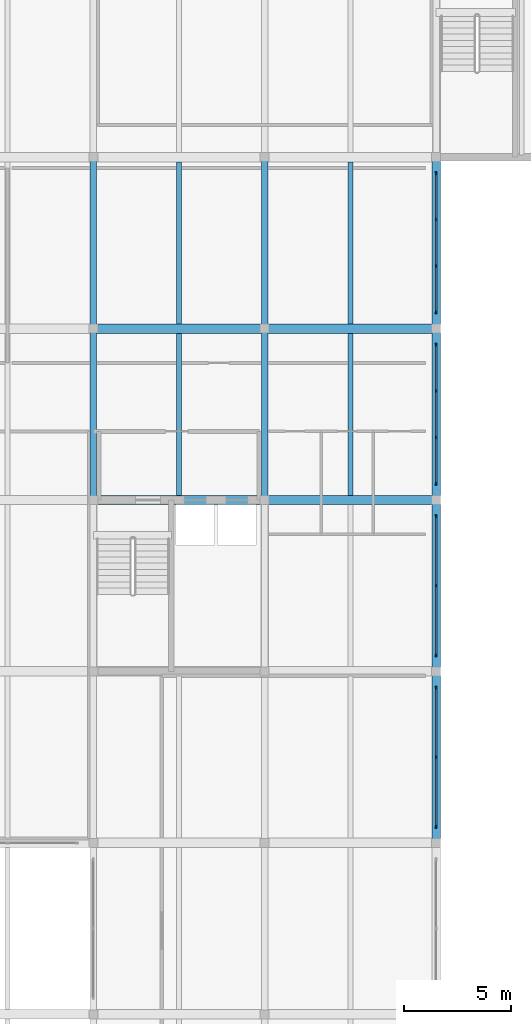
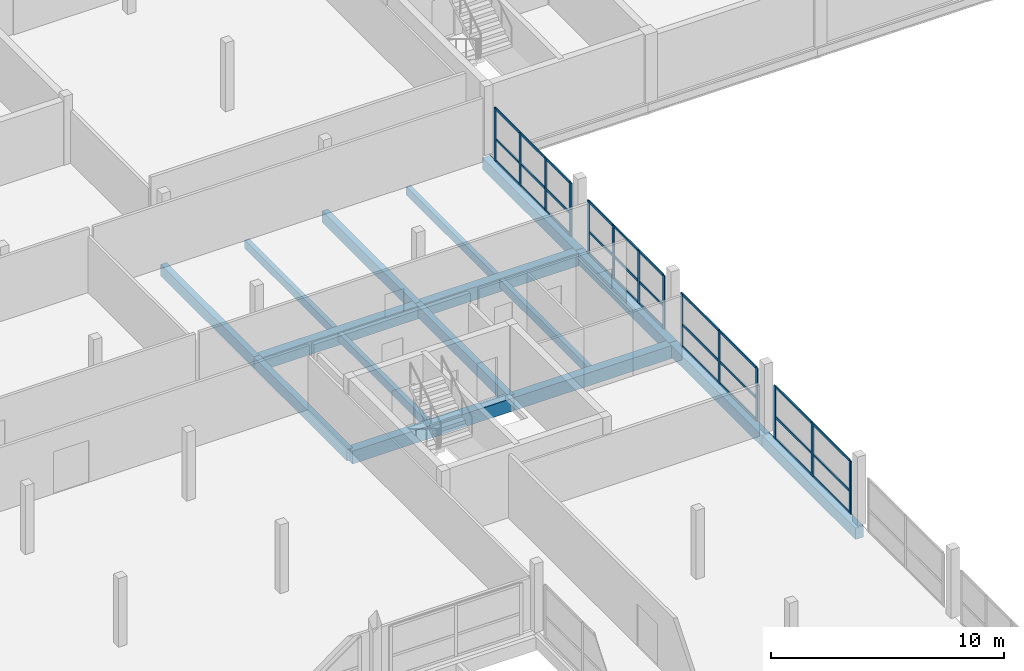
# One storey, part 14 of 51: 44 members, 16 beams, 4 elements without a shape of their own.
"""IFC4 building model written with IfcOpenShell, lengths in metres."""

from ifc_helpers import new_model, si_unit, direction, frame, origin, origin_2d, place, context, subcontext, project, spatial, rectangle, extrude, material, material_profile, profile_set, type_object, element, aggregate, save


model = new_model("IFC4")

# Units and contexts
model_context = context("Model", 3, precision=1e-05, world=origin(), true_north=direction((0.0, 1.0)))
body_context = subcontext(model_context, "Body", "Model", "MODEL_VIEW")
ifc_project = project(units=[si_unit("LENGTHUNIT", "METRE"), si_unit("AREAUNIT", "SQUARE_METRE"), si_unit("VOLUMEUNIT", "CUBIC_METRE"), si_unit("PLANEANGLEUNIT", "RADIAN"), si_unit("MASSUNIT", "GRAM", prefix="KILO")], contexts=[model_context])

# Site, building, storey
site_placement = place(None, origin())
site = spatial("IfcSite", under=ifc_project, at=site_placement, CompositionType="ELEMENT")
building_placement = place(site_placement, origin())
building = spatial("IfcBuilding", under=site, at=building_placement, Name="Vharandega Faculty of Natural Sciences", CompositionType="ELEMENT")
storey_placement = place(building_placement, frame((0.0, 0.0, 14.39990234375)))
storey = spatial("IfcBuildingStorey", under=building, at=storey_placement, Name="L03", CompositionType="ELEMENT", Elevation=14.39990234375)

# Curtain wall, members
ifc_material_1 = material(Name="Aluminium and solar-control glass curtain wall", Category="aluminium")
curtain_wall_type_1 = type_object("IfcCurtainWallType", Name="Unitised Curtain Wall System CW-18", PredefinedType="NOTDEFINED", material=ifc_material_1)
curtain_wall_1_placement = place(storey_placement, origin())
curtain_wall_1 = element("IfcCurtainWall", 1, at=curtain_wall_1_placement, inside=storey, type_object=curtain_wall_type_1, Name="Curtain Wall CW-L03-157", PredefinedType="NOTDEFINED")
ifc_material_2 = material(Name="Thermally broken aluminium 6063-T6", Category="aluminium")
ifc_material_profile_1 = material_profile(ifc_material_2, rectangle(XDim=0.06005859375, YDim=0.159912109375, at=origin_2d()), Name="ALU 60x160")
ifc_profile_set_1 = profile_set([ifc_material_profile_1], Name="Thermally broken aluminium 6063-T6")
member_type_1 = type_object("IfcMemberType", Name="CW Mullion 60x160", PredefinedType="MULLION", material=ifc_profile_set_1)
member_1_placement = place(storey_placement, frame((48.0, 32.77001953125, 0.0), z_axis=(0.0, 0.0, 1.0), x_axis=(-1.0, 0.0, 0.0)))
member_1 = element("IfcMember", 2, at=member_1_placement, type_object=member_type_1, Name="CW-18 mullion 1", PredefinedType="MULLION", context=body_context, shape_type="SweptSolid", body=[
    extrude(rectangle(XDim=0.06005859375, YDim=0.159912109375, at=origin_2d()), origin(), (0.0, 0.0, 1.0), 2.780029296875),
])
member_2_placement = place(storey_placement, frame((48.0, 36.0, 0.0), z_axis=(0.0, 0.0, 1.0), x_axis=(-1.0, 0.0, 0.0)))
member_2 = element("IfcMember", 3, at=member_2_placement, type_object=member_type_1, Name="CW-18 mullion 2", PredefinedType="MULLION", context=body_context, shape_type="SweptSolid", body=[
    extrude(rectangle(XDim=0.06005859375, YDim=0.159912109375, at=origin_2d()), origin(), (0.0, 0.0, 1.0), 2.780029296875),
])
member_3_placement = place(storey_placement, frame((48.0, 39.22998046875, 0.0), z_axis=(0.0, 0.0, 1.0), x_axis=(-1.0, 0.0, 0.0)))
member_3 = element("IfcMember", 4, at=member_3_placement, type_object=member_type_1, Name="CW-18 mullion 3", PredefinedType="MULLION", context=body_context, shape_type="SweptSolid", body=[
    extrude(rectangle(XDim=0.06005859375, YDim=0.159912109375, at=origin_2d()), origin(), (0.0, 0.0, 1.0), 2.780029296875),
])

ifc_material_3 = material(Name="Aluminium and solar-control glass curtain wall", Category="aluminium")
curtain_wall_type_2 = type_object("IfcCurtainWallType", Name="Unitised Curtain Wall System CW-19", PredefinedType="NOTDEFINED", material=ifc_material_3)
curtain_wall_2_placement = place(storey_placement, origin())
curtain_wall_2 = element("IfcCurtainWall", 5, at=curtain_wall_2_placement, inside=storey, type_object=curtain_wall_type_2, Name="Curtain Wall CW-L03-158", PredefinedType="NOTDEFINED")
member_4_placement = place(storey_placement, frame((48.0, 40.77001953125, 0.0), z_axis=(0.0, 0.0, 1.0), x_axis=(-1.0, 0.0, 0.0)))
member_4 = element("IfcMember", 6, at=member_4_placement, type_object=member_type_1, Name="CW-19 mullion 1", PredefinedType="MULLION", context=body_context, shape_type="SweptSolid", body=[
    extrude(rectangle(XDim=0.06005859375, YDim=0.159912109375, at=origin_2d()), origin(), (0.0, 0.0, 1.0), 2.780029296875),
])
member_5_placement = place(storey_placement, frame((48.0, 44.0, 0.0), z_axis=(0.0, 0.0, 1.0), x_axis=(-1.0, 0.0, 0.0)))
member_5 = element("IfcMember", 7, at=member_5_placement, type_object=member_type_1, Name="CW-19 mullion 2", PredefinedType="MULLION", context=body_context, shape_type="SweptSolid", body=[
    extrude(rectangle(XDim=0.06005859375, YDim=0.159912109375, at=origin_2d()), origin(), (0.0, 0.0, 1.0), 2.780029296875),
])
member_6_placement = place(storey_placement, frame((48.0, 47.22998046875, 0.0), z_axis=(0.0, 0.0, 1.0), x_axis=(-1.0, 0.0, 0.0)))
member_6 = element("IfcMember", 8, at=member_6_placement, type_object=member_type_1, Name="CW-19 mullion 3", PredefinedType="MULLION", context=body_context, shape_type="SweptSolid", body=[
    extrude(rectangle(XDim=0.06005859375, YDim=0.159912109375, at=origin_2d()), origin(), (0.0, 0.0, 1.0), 2.780029296875),
])

ifc_material_4 = material(Name="Aluminium and solar-control glass curtain wall", Category="aluminium")
curtain_wall_type_3 = type_object("IfcCurtainWallType", Name="Unitised Curtain Wall System CW-20", PredefinedType="NOTDEFINED", material=ifc_material_4)
curtain_wall_3_placement = place(storey_placement, origin())
curtain_wall_3 = element("IfcCurtainWall", 9, at=curtain_wall_3_placement, inside=storey, type_object=curtain_wall_type_3, Name="Curtain Wall CW-L03-159", PredefinedType="NOTDEFINED")
member_7_placement = place(storey_placement, frame((48.0, 48.77001953125, 0.0), z_axis=(0.0, 0.0, 1.0), x_axis=(-1.0, 0.0, 0.0)))
member_7 = element("IfcMember", 10, at=member_7_placement, type_object=member_type_1, Name="CW-20 mullion 1", PredefinedType="MULLION", context=body_context, shape_type="SweptSolid", body=[
    extrude(rectangle(XDim=0.06005859375, YDim=0.159912109375, at=origin_2d()), origin(), (0.0, 0.0, 1.0), 2.780029296875),
])
member_8_placement = place(storey_placement, frame((48.0, 50.913330078125, 0.0), z_axis=(0.0, 0.0, 1.0), x_axis=(-1.0, 0.0, 0.0)))
member_8 = element("IfcMember", 11, at=member_8_placement, type_object=member_type_1, Name="CW-20 mullion 2", PredefinedType="MULLION", context=body_context, shape_type="SweptSolid", body=[
    extrude(rectangle(XDim=0.06005859375, YDim=0.159912109375, at=origin_2d()), origin(), (0.0, 0.0, 1.0), 2.780029296875),
])
member_9_placement = place(storey_placement, frame((48.0, 53.086669921875, 0.0), z_axis=(0.0, 0.0, 1.0), x_axis=(-1.0, 0.0, 0.0)))
member_9 = element("IfcMember", 12, at=member_9_placement, type_object=member_type_1, Name="CW-20 mullion 3", PredefinedType="MULLION", context=body_context, shape_type="SweptSolid", body=[
    extrude(rectangle(XDim=0.06005859375, YDim=0.159912109375, at=origin_2d()), origin(), (0.0, 0.0, 1.0), 2.780029296875),
])
member_10_placement = place(storey_placement, frame((48.0, 55.22998046875, 0.0), z_axis=(0.0, 0.0, 1.0), x_axis=(-1.0, 0.0, 0.0)))
member_10 = element("IfcMember", 13, at=member_10_placement, type_object=member_type_1, Name="CW-20 mullion 4", PredefinedType="MULLION", context=body_context, shape_type="SweptSolid", body=[
    extrude(rectangle(XDim=0.06005859375, YDim=0.159912109375, at=origin_2d()), origin(), (0.0, 0.0, 1.0), 2.780029296875),
])

ifc_material_5 = material(Name="Aluminium and solar-control glass curtain wall", Category="aluminium")
curtain_wall_type_4 = type_object("IfcCurtainWallType", Name="Unitised Curtain Wall System CW-21", PredefinedType="NOTDEFINED", material=ifc_material_5)
curtain_wall_4_placement = place(storey_placement, origin())
curtain_wall_4 = element("IfcCurtainWall", 14, at=curtain_wall_4_placement, inside=storey, type_object=curtain_wall_type_4, Name="Curtain Wall CW-L03-160", PredefinedType="NOTDEFINED")
member_11_placement = place(storey_placement, frame((48.0, 56.77001953125, 0.0), z_axis=(0.0, 0.0, 1.0), x_axis=(-1.0, 0.0, 0.0)))
member_11 = element("IfcMember", 15, at=member_11_placement, type_object=member_type_1, Name="CW-21 mullion 1", PredefinedType="MULLION", context=body_context, shape_type="SweptSolid", body=[
    extrude(rectangle(XDim=0.06005859375, YDim=0.159912109375, at=origin_2d()), origin(), (0.0, 0.0, 1.0), 2.780029296875),
])
member_12_placement = place(storey_placement, frame((48.0, 58.913330078125, 0.0), z_axis=(0.0, 0.0, 1.0), x_axis=(-1.0, 0.0, 0.0)))
member_12 = element("IfcMember", 16, at=member_12_placement, type_object=member_type_1, Name="CW-21 mullion 2", PredefinedType="MULLION", context=body_context, shape_type="SweptSolid", body=[
    extrude(rectangle(XDim=0.06005859375, YDim=0.159912109375, at=origin_2d()), origin(), (0.0, 0.0, 1.0), 2.780029296875),
])
member_13_placement = place(storey_placement, frame((48.0, 61.086669921875, 0.0), z_axis=(0.0, 0.0, 1.0), x_axis=(-1.0, 0.0, 0.0)))
member_13 = element("IfcMember", 17, at=member_13_placement, type_object=member_type_1, Name="CW-21 mullion 3", PredefinedType="MULLION", context=body_context, shape_type="SweptSolid", body=[
    extrude(rectangle(XDim=0.06005859375, YDim=0.159912109375, at=origin_2d()), origin(), (0.0, 0.0, 1.0), 2.780029296875),
])
member_14_placement = place(storey_placement, frame((48.0, 63.22998046875, 0.0), z_axis=(0.0, 0.0, 1.0), x_axis=(-1.0, 0.0, 0.0)))
member_14 = element("IfcMember", 18, at=member_14_placement, type_object=member_type_1, Name="CW-21 mullion 4", PredefinedType="MULLION", context=body_context, shape_type="SweptSolid", body=[
    extrude(rectangle(XDim=0.06005859375, YDim=0.159912109375, at=origin_2d()), origin(), (0.0, 0.0, 1.0), 2.780029296875),
])

# Member
ifc_material_6 = material(Name="Thermally broken aluminium 6063-T6", Category="aluminium")
ifc_material_profile_2 = material_profile(ifc_material_6, rectangle(XDim=0.06005859375, YDim=0.1201171875, at=origin_2d()), Name="ALU 60x120")
ifc_profile_set_2 = profile_set([ifc_material_profile_2], Name="Thermally broken aluminium 6063-T6")
member_type_2 = type_object("IfcMemberType", Name="CW Transom 60x120", PredefinedType="USERDEFINED", material=ifc_profile_set_2)
member_15_placement = place(storey_placement, frame((48.0, 32.800048828125, 0.030029296875), z_axis=(0.0, 1.0, 0.0), x_axis=(-1.0, 0.0, 0.0)))
member_15 = element("IfcMember", 19, at=member_15_placement, type_object=member_type_2, Name="CW-18 transom 1.1", ObjectType="TRANSOM", PredefinedType="USERDEFINED", context=body_context, shape_type="SweptSolid", body=[
    extrude(rectangle(XDim=0.06005859375, YDim=0.1201171875, at=origin_2d()), origin(), (0.0, 0.0, 1.0), 3.169921875),
])

member_16_placement = place(storey_placement, frame((48.0, 32.800048828125, 1.167724609375), z_axis=(0.0, 1.0, 0.0), x_axis=(-1.0, 0.0, 0.0)))
member_16 = element("IfcMember", 20, at=member_16_placement, type_object=member_type_2, Name="CW-18 transom 1.2", ObjectType="TRANSOM", PredefinedType="USERDEFINED", context=body_context, shape_type="SweptSolid", body=[
    extrude(rectangle(XDim=0.06005859375, YDim=0.1201171875, at=origin_2d()), origin(), (0.0, 0.0, 1.0), 3.169921875),
])

member_17_placement = place(storey_placement, frame((48.0, 32.800048828125, 2.75), z_axis=(0.0, 1.0, 0.0), x_axis=(-1.0, 0.0, 0.0)))
member_17 = element("IfcMember", 21, at=member_17_placement, type_object=member_type_2, Name="CW-18 transom 1.3", ObjectType="TRANSOM", PredefinedType="USERDEFINED", context=body_context, shape_type="SweptSolid", body=[
    extrude(rectangle(XDim=0.06005859375, YDim=0.1201171875, at=origin_2d()), origin(), (0.0, 0.0, 1.0), 3.169921875),
])

member_18_placement = place(storey_placement, frame((48.0, 36.030029296875, 0.030029296875), z_axis=(0.0, 1.0, 0.0), x_axis=(-1.0, 0.0, 0.0)))
member_18 = element("IfcMember", 22, at=member_18_placement, type_object=member_type_2, Name="CW-18 transom 2.1", ObjectType="TRANSOM", PredefinedType="USERDEFINED", context=body_context, shape_type="SweptSolid", body=[
    extrude(rectangle(XDim=0.06005859375, YDim=0.1201171875, at=origin_2d()), origin(), (0.0, 0.0, 1.0), 3.169921875),
])

member_19_placement = place(storey_placement, frame((48.0, 36.030029296875, 1.167724609375), z_axis=(0.0, 1.0, 0.0), x_axis=(-1.0, 0.0, 0.0)))
member_19 = element("IfcMember", 23, at=member_19_placement, type_object=member_type_2, Name="CW-18 transom 2.2", ObjectType="TRANSOM", PredefinedType="USERDEFINED", context=body_context, shape_type="SweptSolid", body=[
    extrude(rectangle(XDim=0.06005859375, YDim=0.1201171875, at=origin_2d()), origin(), (0.0, 0.0, 1.0), 3.169921875),
])

member_20_placement = place(storey_placement, frame((48.0, 36.030029296875, 2.75), z_axis=(0.0, 1.0, 0.0), x_axis=(-1.0, 0.0, 0.0)))
member_20 = element("IfcMember", 24, at=member_20_placement, type_object=member_type_2, Name="CW-18 transom 2.3", ObjectType="TRANSOM", PredefinedType="USERDEFINED", context=body_context, shape_type="SweptSolid", body=[
    extrude(rectangle(XDim=0.06005859375, YDim=0.1201171875, at=origin_2d()), origin(), (0.0, 0.0, 1.0), 3.169921875),
])

aggregate(curtain_wall_1, [member_1, member_2, member_3, member_15, member_16, member_17, member_18, member_19, member_20])

member_21_placement = place(storey_placement, frame((48.0, 40.800048828125, 0.030029296875), z_axis=(0.0, 1.0, 0.0), x_axis=(-1.0, 0.0, 0.0)))
member_21 = element("IfcMember", 25, at=member_21_placement, type_object=member_type_2, Name="CW-19 transom 1.1", ObjectType="TRANSOM", PredefinedType="USERDEFINED", context=body_context, shape_type="SweptSolid", body=[
    extrude(rectangle(XDim=0.06005859375, YDim=0.1201171875, at=origin_2d()), origin(), (0.0, 0.0, 1.0), 3.169921875),
])

member_22_placement = place(storey_placement, frame((48.0, 40.800048828125, 1.167724609375), z_axis=(0.0, 1.0, 0.0), x_axis=(-1.0, 0.0, 0.0)))
member_22 = element("IfcMember", 26, at=member_22_placement, type_object=member_type_2, Name="CW-19 transom 1.2", ObjectType="TRANSOM", PredefinedType="USERDEFINED", context=body_context, shape_type="SweptSolid", body=[
    extrude(rectangle(XDim=0.06005859375, YDim=0.1201171875, at=origin_2d()), origin(), (0.0, 0.0, 1.0), 3.169921875),
])

member_23_placement = place(storey_placement, frame((48.0, 40.800048828125, 2.75), z_axis=(0.0, 1.0, 0.0), x_axis=(-1.0, 0.0, 0.0)))
member_23 = element("IfcMember", 27, at=member_23_placement, type_object=member_type_2, Name="CW-19 transom 1.3", ObjectType="TRANSOM", PredefinedType="USERDEFINED", context=body_context, shape_type="SweptSolid", body=[
    extrude(rectangle(XDim=0.06005859375, YDim=0.1201171875, at=origin_2d()), origin(), (0.0, 0.0, 1.0), 3.169921875),
])

member_24_placement = place(storey_placement, frame((48.0, 44.030029296875, 0.030029296875), z_axis=(0.0, 1.0, 0.0), x_axis=(-1.0, 0.0, 0.0)))
member_24 = element("IfcMember", 28, at=member_24_placement, type_object=member_type_2, Name="CW-19 transom 2.1", ObjectType="TRANSOM", PredefinedType="USERDEFINED", context=body_context, shape_type="SweptSolid", body=[
    extrude(rectangle(XDim=0.06005859375, YDim=0.1201171875, at=origin_2d()), origin(), (0.0, 0.0, 1.0), 3.169921875),
])

member_25_placement = place(storey_placement, frame((48.0, 44.030029296875, 1.167724609375), z_axis=(0.0, 1.0, 0.0), x_axis=(-1.0, 0.0, 0.0)))
member_25 = element("IfcMember", 29, at=member_25_placement, type_object=member_type_2, Name="CW-19 transom 2.2", ObjectType="TRANSOM", PredefinedType="USERDEFINED", context=body_context, shape_type="SweptSolid", body=[
    extrude(rectangle(XDim=0.06005859375, YDim=0.1201171875, at=origin_2d()), origin(), (0.0, 0.0, 1.0), 3.169921875),
])

member_26_placement = place(storey_placement, frame((48.0, 44.030029296875, 2.75), z_axis=(0.0, 1.0, 0.0), x_axis=(-1.0, 0.0, 0.0)))
member_26 = element("IfcMember", 30, at=member_26_placement, type_object=member_type_2, Name="CW-19 transom 2.3", ObjectType="TRANSOM", PredefinedType="USERDEFINED", context=body_context, shape_type="SweptSolid", body=[
    extrude(rectangle(XDim=0.06005859375, YDim=0.1201171875, at=origin_2d()), origin(), (0.0, 0.0, 1.0), 3.169921875),
])

aggregate(curtain_wall_2, [member_4, member_5, member_6, member_21, member_22, member_23, member_24, member_25, member_26])

member_27_placement = place(storey_placement, frame((48.0, 48.800048828125, 0.030029296875), z_axis=(0.0, 1.0, 0.0), x_axis=(-1.0, 0.0, 0.0)))
member_27 = element("IfcMember", 31, at=member_27_placement, type_object=member_type_2, Name="CW-20 transom 1.1", ObjectType="TRANSOM", PredefinedType="USERDEFINED", context=body_context, shape_type="SweptSolid", body=[
    extrude(rectangle(XDim=0.06005859375, YDim=0.1201171875, at=origin_2d()), origin(), (0.0, 0.0, 1.0), 2.083251953125),
])

member_28_placement = place(storey_placement, frame((48.0, 48.800048828125, 1.167724609375), z_axis=(0.0, 1.0, 0.0), x_axis=(-1.0, 0.0, 0.0)))
member_28 = element("IfcMember", 32, at=member_28_placement, type_object=member_type_2, Name="CW-20 transom 1.2", ObjectType="TRANSOM", PredefinedType="USERDEFINED", context=body_context, shape_type="SweptSolid", body=[
    extrude(rectangle(XDim=0.06005859375, YDim=0.1201171875, at=origin_2d()), origin(), (0.0, 0.0, 1.0), 2.083251953125),
])

member_29_placement = place(storey_placement, frame((48.0, 48.800048828125, 2.75), z_axis=(0.0, 1.0, 0.0), x_axis=(-1.0, 0.0, 0.0)))
member_29 = element("IfcMember", 33, at=member_29_placement, type_object=member_type_2, Name="CW-20 transom 1.3", ObjectType="TRANSOM", PredefinedType="USERDEFINED", context=body_context, shape_type="SweptSolid", body=[
    extrude(rectangle(XDim=0.06005859375, YDim=0.1201171875, at=origin_2d()), origin(), (0.0, 0.0, 1.0), 2.083251953125),
])

member_30_placement = place(storey_placement, frame((48.0, 50.943359375, 0.030029296875), z_axis=(0.0, 1.0, 0.0), x_axis=(-1.0, 0.0, 0.0)))
member_30 = element("IfcMember", 34, at=member_30_placement, type_object=member_type_2, Name="CW-20 transom 2.1", ObjectType="TRANSOM", PredefinedType="USERDEFINED", context=body_context, shape_type="SweptSolid", body=[
    extrude(rectangle(XDim=0.06005859375, YDim=0.1201171875, at=origin_2d()), origin(), (0.0, 0.0, 1.0), 2.11328125),
])

member_31_placement = place(storey_placement, frame((48.0, 50.943359375, 1.167724609375), z_axis=(0.0, 1.0, 0.0), x_axis=(-1.0, 0.0, 0.0)))
member_31 = element("IfcMember", 35, at=member_31_placement, type_object=member_type_2, Name="CW-20 transom 2.2", ObjectType="TRANSOM", PredefinedType="USERDEFINED", context=body_context, shape_type="SweptSolid", body=[
    extrude(rectangle(XDim=0.06005859375, YDim=0.1201171875, at=origin_2d()), origin(), (0.0, 0.0, 1.0), 2.11328125),
])

member_32_placement = place(storey_placement, frame((48.0, 50.943359375, 2.75), z_axis=(0.0, 1.0, 0.0), x_axis=(-1.0, 0.0, 0.0)))
member_32 = element("IfcMember", 36, at=member_32_placement, type_object=member_type_2, Name="CW-20 transom 2.3", ObjectType="TRANSOM", PredefinedType="USERDEFINED", context=body_context, shape_type="SweptSolid", body=[
    extrude(rectangle(XDim=0.06005859375, YDim=0.1201171875, at=origin_2d()), origin(), (0.0, 0.0, 1.0), 2.11328125),
])

member_33_placement = place(storey_placement, frame((48.0, 53.11669921875, 0.030029296875), z_axis=(0.0, 1.0, 0.0), x_axis=(-1.0, 0.0, 0.0)))
member_33 = element("IfcMember", 37, at=member_33_placement, type_object=member_type_2, Name="CW-20 transom 3.1", ObjectType="TRANSOM", PredefinedType="USERDEFINED", context=body_context, shape_type="SweptSolid", body=[
    extrude(rectangle(XDim=0.06005859375, YDim=0.1201171875, at=origin_2d()), origin(), (0.0, 0.0, 1.0), 2.083251953125),
])

member_34_placement = place(storey_placement, frame((48.0, 53.11669921875, 1.167724609375), z_axis=(0.0, 1.0, 0.0), x_axis=(-1.0, 0.0, 0.0)))
member_34 = element("IfcMember", 38, at=member_34_placement, type_object=member_type_2, Name="CW-20 transom 3.2", ObjectType="TRANSOM", PredefinedType="USERDEFINED", context=body_context, shape_type="SweptSolid", body=[
    extrude(rectangle(XDim=0.06005859375, YDim=0.1201171875, at=origin_2d()), origin(), (0.0, 0.0, 1.0), 2.083251953125),
])

member_35_placement = place(storey_placement, frame((48.0, 53.11669921875, 2.75), z_axis=(0.0, 1.0, 0.0), x_axis=(-1.0, 0.0, 0.0)))
member_35 = element("IfcMember", 39, at=member_35_placement, type_object=member_type_2, Name="CW-20 transom 3.3", ObjectType="TRANSOM", PredefinedType="USERDEFINED", context=body_context, shape_type="SweptSolid", body=[
    extrude(rectangle(XDim=0.06005859375, YDim=0.1201171875, at=origin_2d()), origin(), (0.0, 0.0, 1.0), 2.083251953125),
])

aggregate(curtain_wall_3, [member_7, member_8, member_9, member_10, member_27, member_28, member_29, member_30, member_31, member_32, member_33, member_34, member_35])

member_36_placement = place(storey_placement, frame((48.0, 56.800048828125, 0.030029296875), z_axis=(0.0, 1.0, 0.0), x_axis=(-1.0, 0.0, 0.0)))
member_36 = element("IfcMember", 40, at=member_36_placement, type_object=member_type_2, Name="CW-21 transom 1.1", ObjectType="TRANSOM", PredefinedType="USERDEFINED", context=body_context, shape_type="SweptSolid", body=[
    extrude(rectangle(XDim=0.06005859375, YDim=0.1201171875, at=origin_2d()), origin(), (0.0, 0.0, 1.0), 2.083251953125),
])

member_37_placement = place(storey_placement, frame((48.0, 56.800048828125, 1.167724609375), z_axis=(0.0, 1.0, 0.0), x_axis=(-1.0, 0.0, 0.0)))
member_37 = element("IfcMember", 41, at=member_37_placement, type_object=member_type_2, Name="CW-21 transom 1.2", ObjectType="TRANSOM", PredefinedType="USERDEFINED", context=body_context, shape_type="SweptSolid", body=[
    extrude(rectangle(XDim=0.06005859375, YDim=0.1201171875, at=origin_2d()), origin(), (0.0, 0.0, 1.0), 2.083251953125),
])

member_38_placement = place(storey_placement, frame((48.0, 56.800048828125, 2.75), z_axis=(0.0, 1.0, 0.0), x_axis=(-1.0, 0.0, 0.0)))
member_38 = element("IfcMember", 42, at=member_38_placement, type_object=member_type_2, Name="CW-21 transom 1.3", ObjectType="TRANSOM", PredefinedType="USERDEFINED", context=body_context, shape_type="SweptSolid", body=[
    extrude(rectangle(XDim=0.06005859375, YDim=0.1201171875, at=origin_2d()), origin(), (0.0, 0.0, 1.0), 2.083251953125),
])

member_39_placement = place(storey_placement, frame((48.0, 58.943359375, 0.030029296875), z_axis=(0.0, 1.0, 0.0), x_axis=(-1.0, 0.0, 0.0)))
member_39 = element("IfcMember", 43, at=member_39_placement, type_object=member_type_2, Name="CW-21 transom 2.1", ObjectType="TRANSOM", PredefinedType="USERDEFINED", context=body_context, shape_type="SweptSolid", body=[
    extrude(rectangle(XDim=0.06005859375, YDim=0.1201171875, at=origin_2d()), origin(), (0.0, 0.0, 1.0), 2.11328125),
])

member_40_placement = place(storey_placement, frame((48.0, 58.943359375, 1.167724609375), z_axis=(0.0, 1.0, 0.0), x_axis=(-1.0, 0.0, 0.0)))
member_40 = element("IfcMember", 44, at=member_40_placement, type_object=member_type_2, Name="CW-21 transom 2.2", ObjectType="TRANSOM", PredefinedType="USERDEFINED", context=body_context, shape_type="SweptSolid", body=[
    extrude(rectangle(XDim=0.06005859375, YDim=0.1201171875, at=origin_2d()), origin(), (0.0, 0.0, 1.0), 2.11328125),
])

member_41_placement = place(storey_placement, frame((48.0, 58.943359375, 2.75), z_axis=(0.0, 1.0, 0.0), x_axis=(-1.0, 0.0, 0.0)))
member_41 = element("IfcMember", 45, at=member_41_placement, type_object=member_type_2, Name="CW-21 transom 2.3", ObjectType="TRANSOM", PredefinedType="USERDEFINED", context=body_context, shape_type="SweptSolid", body=[
    extrude(rectangle(XDim=0.06005859375, YDim=0.1201171875, at=origin_2d()), origin(), (0.0, 0.0, 1.0), 2.11328125),
])

member_42_placement = place(storey_placement, frame((48.0, 61.11669921875, 0.030029296875), z_axis=(0.0, 1.0, 0.0), x_axis=(-1.0, 0.0, 0.0)))
member_42 = element("IfcMember", 46, at=member_42_placement, type_object=member_type_2, Name="CW-21 transom 3.1", ObjectType="TRANSOM", PredefinedType="USERDEFINED", context=body_context, shape_type="SweptSolid", body=[
    extrude(rectangle(XDim=0.06005859375, YDim=0.1201171875, at=origin_2d()), origin(), (0.0, 0.0, 1.0), 2.083251953125),
])

member_43_placement = place(storey_placement, frame((48.0, 61.11669921875, 1.167724609375), z_axis=(0.0, 1.0, 0.0), x_axis=(-1.0, 0.0, 0.0)))
member_43 = element("IfcMember", 47, at=member_43_placement, type_object=member_type_2, Name="CW-21 transom 3.2", ObjectType="TRANSOM", PredefinedType="USERDEFINED", context=body_context, shape_type="SweptSolid", body=[
    extrude(rectangle(XDim=0.06005859375, YDim=0.1201171875, at=origin_2d()), origin(), (0.0, 0.0, 1.0), 2.083251953125),
])

member_44_placement = place(storey_placement, frame((48.0, 61.11669921875, 2.75), z_axis=(0.0, 1.0, 0.0), x_axis=(-1.0, 0.0, 0.0)))
member_44 = element("IfcMember", 48, at=member_44_placement, type_object=member_type_2, Name="CW-21 transom 3.3", ObjectType="TRANSOM", PredefinedType="USERDEFINED", context=body_context, shape_type="SweptSolid", body=[
    extrude(rectangle(XDim=0.06005859375, YDim=0.1201171875, at=origin_2d()), origin(), (0.0, 0.0, 1.0), 2.083251953125),
])

aggregate(curtain_wall_4, [member_11, member_12, member_13, member_14, member_36, member_37, member_38, member_39, member_40, member_41, member_42, member_43, member_44])

# Beams
ifc_material_7 = material(Name="Glulam GL28h", Category="wood")
ifc_material_profile_3 = material_profile(ifc_material_7, rectangle(XDim=0.300048828125, YDim=0.60009765625, at=origin_2d()), Name="GL28h 300x600")
ifc_profile_set_3 = profile_set([ifc_material_profile_3], Name="Glulam GL28h")
beam_type_1 = type_object("IfcBeamType", Name="Glulam Floor Beam 300x600", PredefinedType="BEAM", material=ifc_profile_set_3)
for number, where, z_axis, x_axis, name in (
    (49, (32.0, 48.0, -0.539794921875), (0.0, 1.0, 0.0), (-1.0, 0.0, 0.0), "Beam L03 5/G-H"),
    (50, (32.0, 56.0, -0.539794921875), (0.0, 1.0, 0.0), (-1.0, 0.0, 0.0), "Beam L03 5/H-J"),
    (51, (40.0, 48.0, -0.539794921875), (0.0, 1.0, 0.0), (-1.0, 0.0, 0.0), "Beam L03 6/G-H"),
    (52, (40.0, 56.0, -0.539794921875), (0.0, 1.0, 0.0), (-1.0, 0.0, 0.0), "Beam L03 6/H-J"),
):
    element("IfcBeam", number, at=place(storey_placement, frame(where, z_axis=z_axis, x_axis=x_axis)), inside=storey, type_object=beam_type_1, Name=name, PredefinedType="BEAM", context=body_context, shape_type="SweptSolid", body=[
        extrude(rectangle(XDim=0.300048828125, YDim=0.60009765625, at=origin_2d()), origin(), (0.0, 0.0, 1.0), 8.0),
    ])
ifc_material_8 = material(Name="Glulam GL32h", Category="wood")
ifc_material_profile_4 = material_profile(ifc_material_8, rectangle(XDim=0.43994140625, YDim=0.679931640625, at=origin_2d()), Name="GL32h 440x680")
ifc_profile_set_4 = profile_set([ifc_material_profile_4], Name="Glulam GL32h")
beam_type_2 = type_object("IfcBeamType", Name="Glulam Girder 440x680", PredefinedType="BEAM", material=ifc_profile_set_4)
for number, where, z_axis, x_axis, name in (
    (53, (32.0, 48.0, -0.579833984375), (1.0, 0.0, 0.0), (0.0, 1.0, 0.0), "Beam L03 G/5-6"),
    (54, (40.0, 48.0, -0.579833984375), (1.0, 0.0, 0.0), (0.0, 1.0, 0.0), "Beam L03 G/6-7"),
    (55, (32.0, 56.0, -0.579833984375), (1.0, 0.0, 0.0), (0.0, 1.0, 0.0), "Beam L03 H/5-6"),
    (56, (40.0, 56.0, -0.579833984375), (1.0, 0.0, 0.0), (0.0, 1.0, 0.0), "Beam L03 H/6-7"),
):
    element("IfcBeam", number, at=place(storey_placement, frame(where, z_axis=z_axis, x_axis=x_axis)), inside=storey, type_object=beam_type_2, Name=name, PredefinedType="BEAM", context=body_context, shape_type="SweptSolid", body=[
        extrude(rectangle(XDim=0.43994140625, YDim=0.679931640625, at=origin_2d()), origin(), (0.0, 0.0, 1.0), 8.0),
    ])
ifc_material_9 = material(Name="Glulam GL28h", Category="wood")
ifc_material_profile_5 = material_profile(ifc_material_9, rectangle(XDim=0.219970703125, YDim=0.43994140625, at=origin_2d()), Name="GL28h 220x440")
ifc_profile_set_5 = profile_set([ifc_material_profile_5], Name="Glulam GL28h")
beam_type_3 = type_object("IfcBeamType", Name="Glulam Secondary Joist 220x440", PredefinedType="JOIST", material=ifc_profile_set_5)
for number, where, z_axis, x_axis, name in (
    (57, (36.0, 48.219970703125, -0.4599609375), (0.0, 1.0, 0.0), (-1.0, 0.0, 0.0), "Secondary Joist L03 5-6/G-H"),
    (58, (36.0, 56.219970703125, -0.4599609375), (0.0, 1.0, 0.0), (-1.0, 0.0, 0.0), "Secondary Joist L03 5-6/H-J"),
    (59, (44.0, 48.219970703125, -0.4599609375), (0.0, 1.0, 0.0), (-1.0, 0.0, 0.0), "Secondary Joist L03 6-7/G-H"),
    (60, (44.0, 56.219970703125, -0.4599609375), (0.0, 1.0, 0.0), (-1.0, 0.0, 0.0), "Secondary Joist L03 6-7/H-J"),
):
    element("IfcBeam", number, at=place(storey_placement, frame(where, z_axis=z_axis, x_axis=x_axis)), inside=storey, type_object=beam_type_3, Name=name, PredefinedType="JOIST", context=body_context, shape_type="SweptSolid", body=[
        extrude(rectangle(XDim=0.219970703125, YDim=0.43994140625, at=origin_2d()), origin(), (0.0, 0.0, 1.0), 7.56005859375),
    ])
ifc_material_10 = material(Name="Glulam GL32h", Category="wood")
ifc_material_profile_6 = material_profile(ifc_material_10, rectangle(XDim=0.39990234375, YDim=0.60009765625, at=origin_2d()), Name="GL32h 400x600")
ifc_profile_set_6 = profile_set([ifc_material_profile_6], Name="Glulam GL32h")
beam_type_4 = type_object("IfcBeamType", Name="Glulam Spine Girder 400x600", PredefinedType="BEAM", material=ifc_profile_set_6)
for number, where, z_axis, x_axis, name in (
    (61, (48.0, 32.0, -0.539794921875), (0.0, 1.0, 0.0), (-1.0, 0.0, 0.0), "Beam L03 7/E-F"),
    (62, (48.0, 40.0, -0.539794921875), (0.0, 1.0, 0.0), (-1.0, 0.0, 0.0), "Beam L03 7/F-G"),
    (63, (48.0, 48.0, -0.539794921875), (0.0, 1.0, 0.0), (-1.0, 0.0, 0.0), "Beam L03 7/G-H"),
    (64, (48.0, 56.0, -0.539794921875), (0.0, 1.0, 0.0), (-1.0, 0.0, 0.0), "Beam L03 7/H-J"),
):
    element("IfcBeam", number, at=place(storey_placement, frame(where, z_axis=z_axis, x_axis=x_axis)), inside=storey, type_object=beam_type_4, Name=name, PredefinedType="BEAM", context=body_context, shape_type="SweptSolid", body=[
        extrude(rectangle(XDim=0.39990234375, YDim=0.60009765625, at=origin_2d()), origin(), (0.0, 0.0, 1.0), 8.0),
    ])

save(model, "model.ifc")
